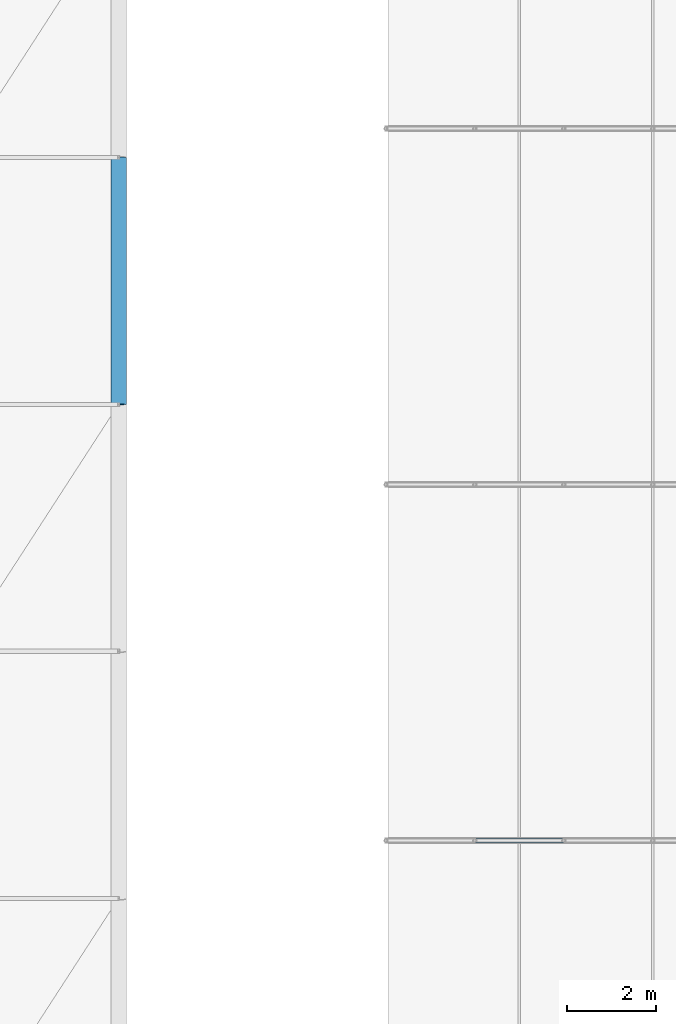
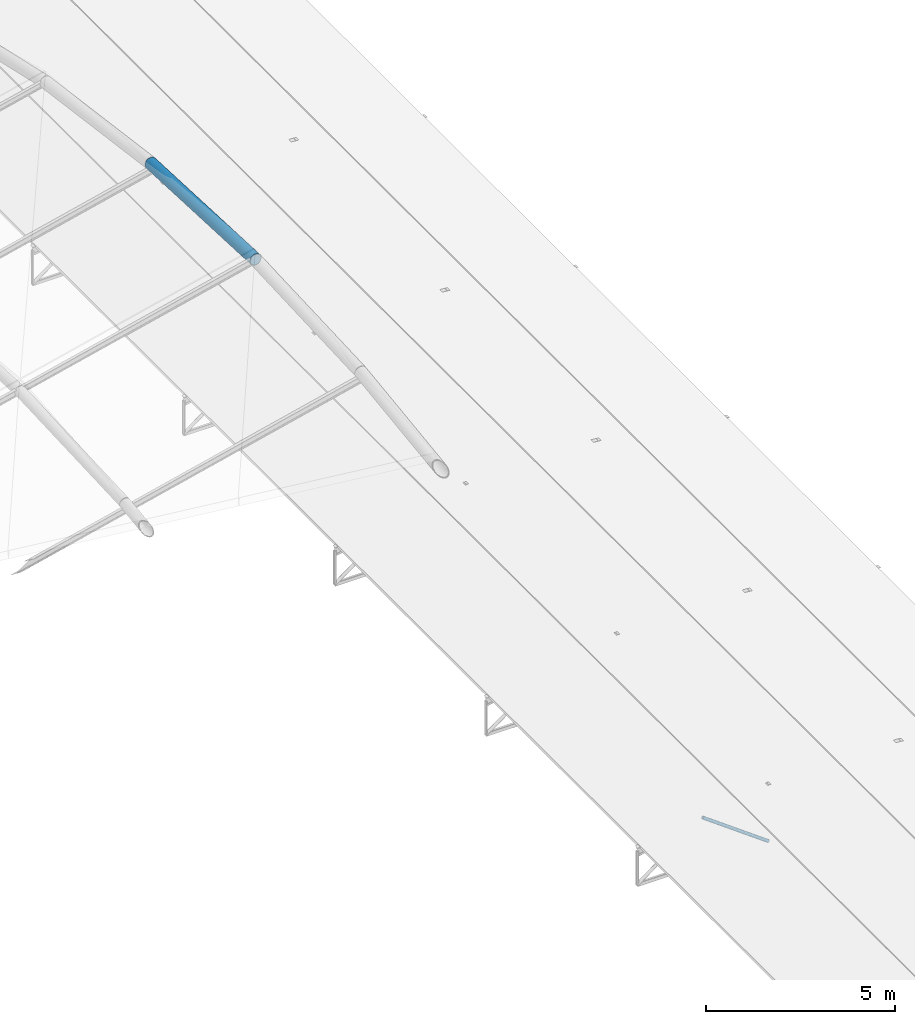
# One storey, part 13 of 54: 2 members.
"""IFC4 building model written with IfcOpenShell, lengths in metres."""

from ifc_helpers import new_model, si_unit, derived_unit, direction, frame, origin, origin_2d, place, context, subcontext, project, spatial, hollow_circle, extrude, material, material_profile, profile_set, type_object, element, save


model = new_model("IFC4")

# Units and contexts
model_context = context("Model", 3, precision=1e-05, world=origin(), true_north=direction((0.0, 1.0)))
body_context = subcontext(model_context, "Body", "Model", "MODEL_VIEW")
ifc_project = project(units=[si_unit("LENGTHUNIT", "METRE"), si_unit("AREAUNIT", "SQUARE_METRE"), si_unit("VOLUMEUNIT", "CUBIC_METRE"), si_unit("PLANEANGLEUNIT", "RADIAN"), si_unit("MASSUNIT", "GRAM", prefix="KILO"), derived_unit("THERMALTRANSMITTANCEUNIT", [(si_unit("POWERUNIT", "WATT"), 1), (si_unit("LENGTHUNIT", "METRE"), -2), (si_unit("THERMODYNAMICTEMPERATUREUNIT", "KELVIN"), -1)])], contexts=[model_context])

# Site, building, storey
site_placement = place(None, origin())
site = spatial("IfcSite", under=ifc_project, at=site_placement, CompositionType="ELEMENT")
building_placement = place(site_placement, origin())
building = spatial("IfcBuilding", under=site, at=building_placement, Name="Keldorne Ridge Multi-Sports Centre", CompositionType="ELEMENT")
storey_placement = place(building_placement, frame((0.0, 0.0, 22.199951171875)))
storey = spatial("IfcBuildingStorey", under=building, at=storey_placement, Name="ROOF", CompositionType="ELEMENT", Elevation=22.199951171875)

# Members
ifc_material = material(Name="Steel S355", Category="steel")
ifc_material_profile_1 = material_profile(ifc_material, hollow_circle(Radius=0.177734375, WallThickness=0.01611328125, at=origin_2d()), Name="CHS 355.6x16")
ifc_profile_set_1 = profile_set([ifc_material_profile_1], Name="Steel S355")
member_type_1 = type_object("IfcMemberType", Name="MEM-TC-01", PredefinedType="CHORD", material=ifc_profile_set_1)
member_1_placement = place(storey_placement, frame((78.0, 31.800048828125, 2.6201171875), z_axis=(0.0, 0.99898703105, -0.044999019918), x_axis=(-1.0, 0.0, 0.0)))
element("IfcMember", 1, at=member_1_placement, inside=storey, type_object=member_type_1, Name="Main Hall ROOF TRUSS AT-11 top chord 5", PredefinedType="CHORD", context=body_context, shape_type="SweptSolid", body=[
    extrude(hollow_circle(Radius=0.177734375, WallThickness=0.01611328125, at=origin_2d()), origin(), (0.0, 0.0, 1.0), 5.5556640625),
])
ifc_material_profile_2 = material_profile(ifc_material, hollow_circle(Radius=0.05078125, WallThickness=0.00634765625, at=origin_2d()), Name="CHS 101.6x6.3")
ifc_profile_set_2 = profile_set([ifc_material_profile_2], Name="Steel S355")
member_type_2 = type_object("IfcMemberType", Name="MEM-TD-05", PredefinedType="BRACE", material=ifc_profile_set_2)
member_2_placement = place(storey_placement, frame((86.0, 22.0, -12.260009765625), z_axis=(0.8076945033, 0.0, -0.589601212125), x_axis=(0.0, 1.0, 0.0)))
element("IfcMember", 2, at=member_2_placement, inside=storey, type_object=member_type_2, Name="Public Passage bowstring web diagonal 03.2", PredefinedType="BRACE", context=body_context, shape_type="SweptSolid", body=[
    extrude(hollow_circle(Radius=0.05078125, WallThickness=0.00634765625, at=origin_2d()), origin(), (0.0, 0.0, 1.0), 2.47607421875),
])

save(model, "model.ifc")
